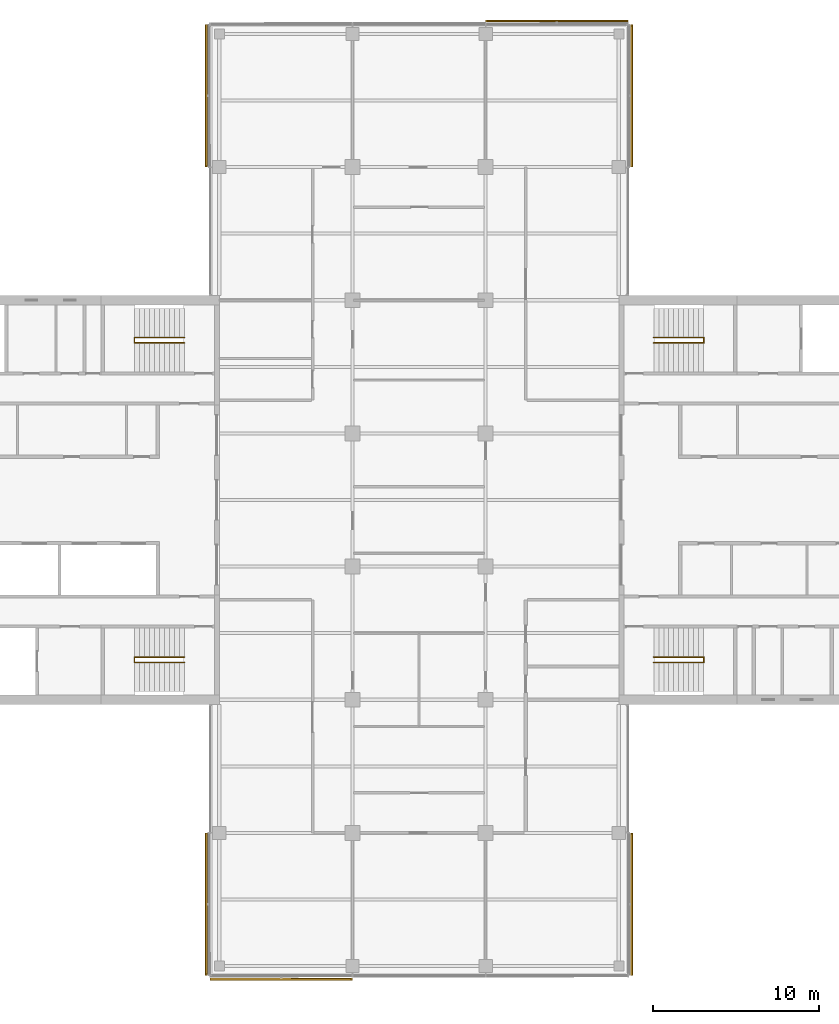
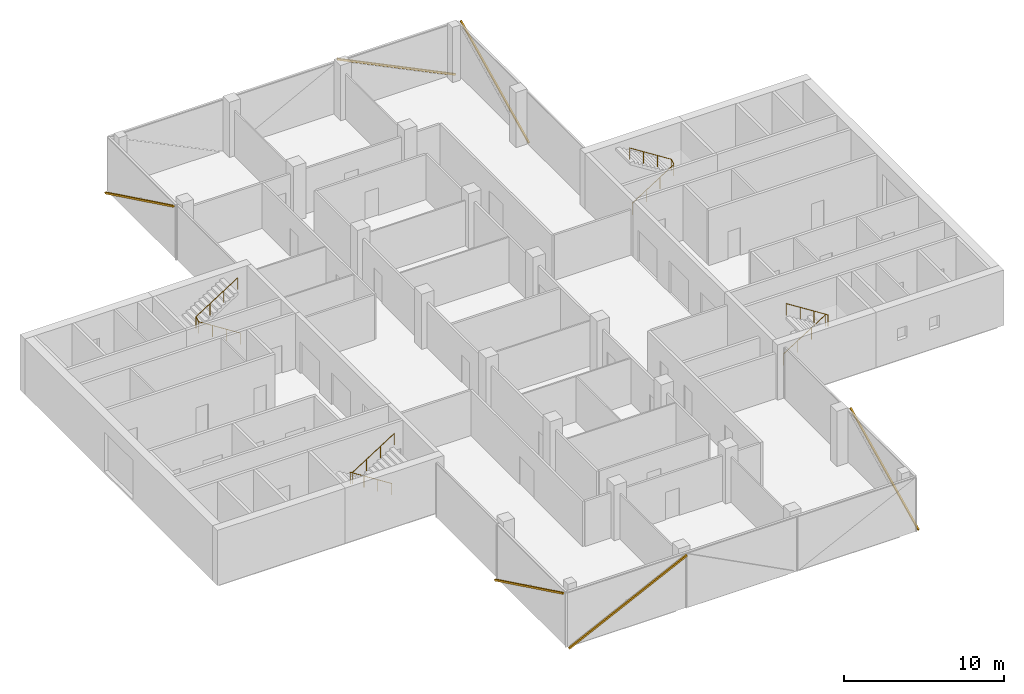
# One storey, part 15 of 15: 6 shading devices, 4 railings, 6 elements without a shape of their own.
"""IFC4 building model written with IfcOpenShell, lengths in metres."""

from ifc_helpers import new_model, si_unit, direction, frame, origin, origin_2d, place, context, subcontext, project, spatial, rectangle, circle, extrude, material, material_profile, profile_set, type_object, element, aggregate, save


model = new_model("IFC4")

# Units and contexts
model_context = context("Model", 3, precision=1e-05, world=origin(), true_north=direction((0.0, 1.0)))
body_context = subcontext(model_context, "Body", "Model", "MODEL_VIEW")
ifc_project = project(units=[si_unit("LENGTHUNIT", "METRE"), si_unit("AREAUNIT", "SQUARE_METRE"), si_unit("VOLUMEUNIT", "CUBIC_METRE"), si_unit("PLANEANGLEUNIT", "RADIAN"), si_unit("MASSUNIT", "GRAM", prefix="KILO")], contexts=[model_context])

# Site, building, storey
site_placement = place(None, origin())
site = spatial("IfcSite", under=ifc_project, at=site_placement, CompositionType="ELEMENT")
building_placement = place(site_placement, origin())
building = spatial("IfcBuilding", under=site, at=building_placement, Name="Crosswind Convention Tower", CompositionType="ELEMENT")
storey_placement = place(building_placement, frame((0.0, 0.0, 191.5)))
storey = spatial("IfcBuildingStorey", under=building, at=storey_placement, Name="L40", CompositionType="ELEMENT", Elevation=191.5)

# Railings
ifc_material_1 = material(Name="Stainless steel", Category="steel")
railing_type = type_object("IfcRailingType", Name="Stair handrail 900", PredefinedType="HANDRAIL", material=ifc_material_1)
railing_1_placement = place(storey_placement, frame((139.10009765625, 109.43994140625, 0.19091796875)))
element("IfcRailing", 1, at=railing_1_placement, inside=storey, type_object=railing_type, Name="Stair ST1 handrail L40", PredefinedType="HANDRAIL", context=body_context, shape_type="SweptSolid", body=[
    extrude(circle(Radius=0.02392578125, at=origin_2d()), frame((0.0, 0.0, 0.8759765625), z_axis=(0.843650179428, 0.0, 0.536893261973), x_axis=(0.0, 1.0, 0.0)), (0.0, 0.0, 1.0), 3.555908203125),
    extrude(circle(Radius=0.02392578125, at=origin_2d()), frame((3.0, 0.0, 2.78515625), z_axis=(0.0, 0.858819504967, 0.512278301208), x_axis=(-1.0, 0.0, 0.0)), (0.0, 0.0, 1.0), 0.372802734375),
    extrude(circle(Radius=0.02392578125, at=origin_2d()), frame((3.0, 0.320068359375, 2.97607421875), z_axis=(-0.843681277094, 0.0, 0.536844393359), x_axis=(0.0, -1.0, 0.0)), (0.0, 0.0, 1.0), 3.555908203125),
    extrude(circle(Radius=0.02099609375, at=origin_2d()), origin(), (0.0, 0.0, 1.0), 0.851806640625),
    extrude(circle(Radius=0.02099609375, at=origin_2d()), frame((1.0, 0.0, 0.636474609375)), (0.0, 0.0, 1.0), 0.851806640625),
    extrude(circle(Radius=0.02099609375, at=origin_2d()), frame((2.0, 0.0, 1.272705078125)), (0.0, 0.0, 1.0), 0.851806640625),
    extrude(circle(Radius=0.02099609375, at=origin_2d()), frame((3.0, 0.0, 1.9091796875)), (0.0, 0.0, 1.0), 0.851806640625),
    extrude(circle(Radius=0.02099609375, at=origin_2d()), frame((3.0, 0.320068359375, 2.10009765625)), (0.0, 0.0, 1.0), 0.851806640625),
    extrude(circle(Radius=0.02099609375, at=origin_2d()), frame((2.0, 0.320068359375, 2.736328125)), (0.0, 0.0, 1.0), 0.851806640625),
    extrude(circle(Radius=0.02099609375, at=origin_2d()), frame((1.0, 0.320068359375, 3.372802734375)), (0.0, 0.0, 1.0), 0.851806640625),
    extrude(circle(Radius=0.02099609375, at=origin_2d()), frame((0.0, 0.320068359375, 4.009033203125)), (0.0, 0.0, 1.0), 0.851806640625),
])
railing_2_placement = place(storey_placement, frame((139.10009765625, 90.56005859375, 0.19091796875)))
element("IfcRailing", 2, at=railing_2_placement, inside=storey, type_object=railing_type, Name="Stair ST2 handrail L40", PredefinedType="HANDRAIL", context=body_context, shape_type="SweptSolid", body=[
    extrude(circle(Radius=0.02392578125, at=origin_2d()), frame((0.0, 0.0, 0.8759765625), z_axis=(0.843650179428, 0.0, 0.536893261973), x_axis=(0.0, 1.0, 0.0)), (0.0, 0.0, 1.0), 3.555908203125),
    extrude(circle(Radius=0.02392578125, at=origin_2d()), frame((3.0, 0.0, 2.78515625), z_axis=(0.0, -0.858819504967, 0.512278301208), x_axis=(1.0, 0.0, 0.0)), (0.0, 0.0, 1.0), 0.372802734375),
    extrude(circle(Radius=0.02392578125, at=origin_2d()), frame((3.0, -0.320068359375, 2.97607421875), z_axis=(-0.843681277094, 0.0, 0.536844393359), x_axis=(0.0, -1.0, 0.0)), (0.0, 0.0, 1.0), 3.555908203125),
    extrude(circle(Radius=0.02099609375, at=origin_2d()), origin(), (0.0, 0.0, 1.0), 0.851806640625),
    extrude(circle(Radius=0.02099609375, at=origin_2d()), frame((1.0, 0.0, 0.636474609375)), (0.0, 0.0, 1.0), 0.851806640625),
    extrude(circle(Radius=0.02099609375, at=origin_2d()), frame((2.0, 0.0, 1.272705078125)), (0.0, 0.0, 1.0), 0.851806640625),
    extrude(circle(Radius=0.02099609375, at=origin_2d()), frame((3.0, 0.0, 1.9091796875)), (0.0, 0.0, 1.0), 0.851806640625),
    extrude(circle(Radius=0.02099609375, at=origin_2d()), frame((3.0, -0.320068359375, 2.10009765625)), (0.0, 0.0, 1.0), 0.851806640625),
    extrude(circle(Radius=0.02099609375, at=origin_2d()), frame((2.0, -0.320068359375, 2.736328125)), (0.0, 0.0, 1.0), 0.851806640625),
    extrude(circle(Radius=0.02099609375, at=origin_2d()), frame((1.0, -0.320068359375, 3.372802734375)), (0.0, 0.0, 1.0), 0.851806640625),
    extrude(circle(Radius=0.02099609375, at=origin_2d()), frame((0.0, -0.320068359375, 4.009033203125)), (0.0, 0.0, 1.0), 0.851806640625),
])
railing_3_placement = place(storey_placement, frame((110.89990234375, 90.56005859375, 0.19091796875)))
element("IfcRailing", 3, at=railing_3_placement, inside=storey, type_object=railing_type, Name="Stair ST3 handrail L40", PredefinedType="HANDRAIL", context=body_context, shape_type="SweptSolid", body=[
    extrude(circle(Radius=0.02392578125, at=origin_2d()), frame((0.0, 0.0, 0.8759765625), z_axis=(-0.843650179428, 0.0, 0.536893261973), x_axis=(0.0, -1.0, 0.0)), (0.0, 0.0, 1.0), 3.555908203125),
    extrude(circle(Radius=0.02392578125, at=origin_2d()), frame((-3.0, 0.0, 2.78515625), z_axis=(0.0, -0.858819504967, 0.512278301208), x_axis=(1.0, 0.0, 0.0)), (0.0, 0.0, 1.0), 0.372802734375),
    extrude(circle(Radius=0.02392578125, at=origin_2d()), frame((-3.0, -0.320068359375, 2.97607421875), z_axis=(0.843681277094, 0.0, 0.536844393359), x_axis=(0.0, 1.0, 0.0)), (0.0, 0.0, 1.0), 3.555908203125),
    extrude(circle(Radius=0.02099609375, at=origin_2d()), origin(), (0.0, 0.0, 1.0), 0.851806640625),
    extrude(circle(Radius=0.02099609375, at=origin_2d()), frame((-1.0, 0.0, 0.636474609375)), (0.0, 0.0, 1.0), 0.851806640625),
    extrude(circle(Radius=0.02099609375, at=origin_2d()), frame((-2.0, 0.0, 1.272705078125)), (0.0, 0.0, 1.0), 0.851806640625),
    extrude(circle(Radius=0.02099609375, at=origin_2d()), frame((-3.0, 0.0, 1.9091796875)), (0.0, 0.0, 1.0), 0.851806640625),
    extrude(circle(Radius=0.02099609375, at=origin_2d()), frame((-3.0, -0.320068359375, 2.10009765625)), (0.0, 0.0, 1.0), 0.851806640625),
    extrude(circle(Radius=0.02099609375, at=origin_2d()), frame((-2.0, -0.320068359375, 2.736328125)), (0.0, 0.0, 1.0), 0.851806640625),
    extrude(circle(Radius=0.02099609375, at=origin_2d()), frame((-1.0, -0.320068359375, 3.372802734375)), (0.0, 0.0, 1.0), 0.851806640625),
    extrude(circle(Radius=0.02099609375, at=origin_2d()), frame((0.0, -0.320068359375, 4.009033203125)), (0.0, 0.0, 1.0), 0.851806640625),
])
railing_4_placement = place(storey_placement, frame((110.89990234375, 109.43994140625, 0.19091796875)))
element("IfcRailing", 4, at=railing_4_placement, inside=storey, type_object=railing_type, Name="Stair ST4 handrail L40", PredefinedType="HANDRAIL", context=body_context, shape_type="SweptSolid", body=[
    extrude(circle(Radius=0.02392578125, at=origin_2d()), frame((0.0, 0.0, 0.8759765625), z_axis=(-0.843650179428, 0.0, 0.536893261973), x_axis=(0.0, -1.0, 0.0)), (0.0, 0.0, 1.0), 3.555908203125),
    extrude(circle(Radius=0.02392578125, at=origin_2d()), frame((-3.0, 0.0, 2.78515625), z_axis=(0.0, 0.858819504967, 0.512278301208), x_axis=(-1.0, 0.0, 0.0)), (0.0, 0.0, 1.0), 0.372802734375),
    extrude(circle(Radius=0.02392578125, at=origin_2d()), frame((-3.0, 0.320068359375, 2.97607421875), z_axis=(0.843681277094, 0.0, 0.536844393359), x_axis=(0.0, 1.0, 0.0)), (0.0, 0.0, 1.0), 3.555908203125),
    extrude(circle(Radius=0.02099609375, at=origin_2d()), origin(), (0.0, 0.0, 1.0), 0.851806640625),
    extrude(circle(Radius=0.02099609375, at=origin_2d()), frame((-1.0, 0.0, 0.636474609375)), (0.0, 0.0, 1.0), 0.851806640625),
    extrude(circle(Radius=0.02099609375, at=origin_2d()), frame((-2.0, 0.0, 1.272705078125)), (0.0, 0.0, 1.0), 0.851806640625),
    extrude(circle(Radius=0.02099609375, at=origin_2d()), frame((-3.0, 0.0, 1.9091796875)), (0.0, 0.0, 1.0), 0.851806640625),
    extrude(circle(Radius=0.02099609375, at=origin_2d()), frame((-3.0, 0.320068359375, 2.10009765625)), (0.0, 0.0, 1.0), 0.851806640625),
    extrude(circle(Radius=0.02099609375, at=origin_2d()), frame((-2.0, 0.320068359375, 2.736328125)), (0.0, 0.0, 1.0), 0.851806640625),
    extrude(circle(Radius=0.02099609375, at=origin_2d()), frame((-1.0, 0.320068359375, 3.372802734375)), (0.0, 0.0, 1.0), 0.851806640625),
    extrude(circle(Radius=0.02099609375, at=origin_2d()), frame((0.0, 0.320068359375, 4.009033203125)), (0.0, 0.0, 1.0), 0.851806640625),
])

# Curtain wall, shading device
ifc_material_2 = material(Name="Aluminium unitised curtain wall", Category="aluminium")
curtain_wall_type = type_object("IfcCurtainWallType", Name="OFFICE UNITISED WALL 220", PredefinedType="USERDEFINED", material=ifc_material_2)
curtain_wall_1_placement = place(storey_placement, origin())
curtain_wall_1 = element("IfcCurtainWall", 5, at=curtain_wall_1_placement, inside=storey, type_object=curtain_wall_type, Name="CW3 L40 N-E 1", ObjectType="UNITISED", PredefinedType="USERDEFINED")
ifc_material_3 = material(Name="Extruded terracotta", Category="masonry")
ifc_material_profile = material_profile(ifc_material_3, rectangle(XDim=0.110107421875, YDim=0.1298828125, at=origin_2d()), Name="TC 110X130")
ifc_profile_set = profile_set([ifc_material_profile], Name="Extruded terracotta")
shading_device_type = type_object("IfcShadingDeviceType", Name="TERRACOTTA BAGUETTE 130X110", PredefinedType="USERDEFINED", material=ifc_profile_set)
shading_device_1_placement = place(storey_placement, frame((137.781005859375, 120.034912109375, -0.300048828125), z_axis=(0.0, 0.899240862228, 0.437453850936), x_axis=(-1.0, 0.0, 0.0)))
shading_device_1 = element("IfcShadingDevice", 6, at=shading_device_1_placement, type_object=shading_device_type, Name="CW3 terracotta baguette 1", ObjectType="BAGUETTE", PredefinedType="USERDEFINED", context=body_context, shape_type="SweptSolid", body=[
    extrude(rectangle(XDim=0.110107421875, YDim=0.1298828125, at=origin_2d()), origin(), (0.0, 0.0, 1.0), 9.44140625),
])
aggregate(curtain_wall_1, [shading_device_1])

curtain_wall_2_placement = place(storey_placement, origin())
curtain_wall_2 = element("IfcCurtainWall", 7, at=curtain_wall_2_placement, inside=storey, type_object=curtain_wall_type, Name="CW3 L40 N-TIP 1", ObjectType="UNITISED", PredefinedType="USERDEFINED")
shading_device_2_placement = place(storey_placement, frame((137.52490234375, 128.781005859375, -0.300048828125), z_axis=(-0.899240862228, 0.0, 0.437453850936), x_axis=(0.0, -1.0, 0.0)))
shading_device_2 = element("IfcShadingDevice", 8, at=shading_device_2_placement, type_object=shading_device_type, Name="CW3 terracotta baguette 1", ObjectType="BAGUETTE", PredefinedType="USERDEFINED", context=body_context, shape_type="SweptSolid", body=[
    extrude(rectangle(XDim=0.110107421875, YDim=0.1298828125, at=origin_2d()), origin(), (0.0, 0.0, 1.0), 9.44140625),
])
aggregate(curtain_wall_2, [shading_device_2])

curtain_wall_3_placement = place(storey_placement, origin())
curtain_wall_3 = element("IfcCurtainWall", 9, at=curtain_wall_3_placement, inside=storey, type_object=curtain_wall_type, Name="CW3 L40 N-W 1", ObjectType="UNITISED", PredefinedType="USERDEFINED")
shading_device_3_placement = place(storey_placement, frame((112.218994140625, 128.52490234375, -0.300048828125), z_axis=(0.0, -0.899240862228, 0.437453850936), x_axis=(1.0, 0.0, 0.0)))
shading_device_3 = element("IfcShadingDevice", 10, at=shading_device_3_placement, type_object=shading_device_type, Name="CW3 terracotta baguette 1", ObjectType="BAGUETTE", PredefinedType="USERDEFINED", context=body_context, shape_type="SweptSolid", body=[
    extrude(rectangle(XDim=0.110107421875, YDim=0.1298828125, at=origin_2d()), origin(), (0.0, 0.0, 1.0), 9.44140625),
])
aggregate(curtain_wall_3, [shading_device_3])

curtain_wall_4_placement = place(storey_placement, origin())
curtain_wall_4 = element("IfcCurtainWall", 11, at=curtain_wall_4_placement, inside=storey, type_object=curtain_wall_type, Name="CW3 L40 S-W 1", ObjectType="UNITISED", PredefinedType="USERDEFINED")
shading_device_4_placement = place(storey_placement, frame((112.218994140625, 79.965087890625, -0.300048828125), z_axis=(0.0, -0.899240862228, 0.437453850936), x_axis=(1.0, 0.0, 0.0)))
shading_device_4 = element("IfcShadingDevice", 12, at=shading_device_4_placement, type_object=shading_device_type, Name="CW3 terracotta baguette 1", ObjectType="BAGUETTE", PredefinedType="USERDEFINED", context=body_context, shape_type="SweptSolid", body=[
    extrude(rectangle(XDim=0.110107421875, YDim=0.1298828125, at=origin_2d()), origin(), (0.0, 0.0, 1.0), 9.44140625),
])
aggregate(curtain_wall_4, [shading_device_4])

curtain_wall_5_placement = place(storey_placement, origin())
curtain_wall_5 = element("IfcCurtainWall", 13, at=curtain_wall_5_placement, inside=storey, type_object=curtain_wall_type, Name="CW3 L40 S-TIP 1", ObjectType="UNITISED", PredefinedType="USERDEFINED")
shading_device_5_placement = place(storey_placement, frame((112.47509765625, 71.218994140625, -0.300048828125), z_axis=(0.899240862228, 0.0, 0.437453850936), x_axis=(0.0, 1.0, 0.0)))
shading_device_5 = element("IfcShadingDevice", 14, at=shading_device_5_placement, type_object=shading_device_type, Name="CW3 terracotta baguette 1", ObjectType="BAGUETTE", PredefinedType="USERDEFINED", context=body_context, shape_type="SweptSolid", body=[
    extrude(rectangle(XDim=0.110107421875, YDim=0.1298828125, at=origin_2d()), origin(), (0.0, 0.0, 1.0), 9.44140625),
])
aggregate(curtain_wall_5, [shading_device_5])

curtain_wall_6_placement = place(storey_placement, origin())
curtain_wall_6 = element("IfcCurtainWall", 15, at=curtain_wall_6_placement, inside=storey, type_object=curtain_wall_type, Name="CW3 L40 S-E 1", ObjectType="UNITISED", PredefinedType="USERDEFINED")
shading_device_6_placement = place(storey_placement, frame((137.781005859375, 71.47509765625, -0.300048828125), z_axis=(0.0, 0.899240862228, 0.437453850936), x_axis=(-1.0, 0.0, 0.0)))
shading_device_6 = element("IfcShadingDevice", 16, at=shading_device_6_placement, type_object=shading_device_type, Name="CW3 terracotta baguette 1", ObjectType="BAGUETTE", PredefinedType="USERDEFINED", context=body_context, shape_type="SweptSolid", body=[
    extrude(rectangle(XDim=0.110107421875, YDim=0.1298828125, at=origin_2d()), origin(), (0.0, 0.0, 1.0), 9.44140625),
])
aggregate(curtain_wall_6, [shading_device_6])

save(model, "model.ifc")
